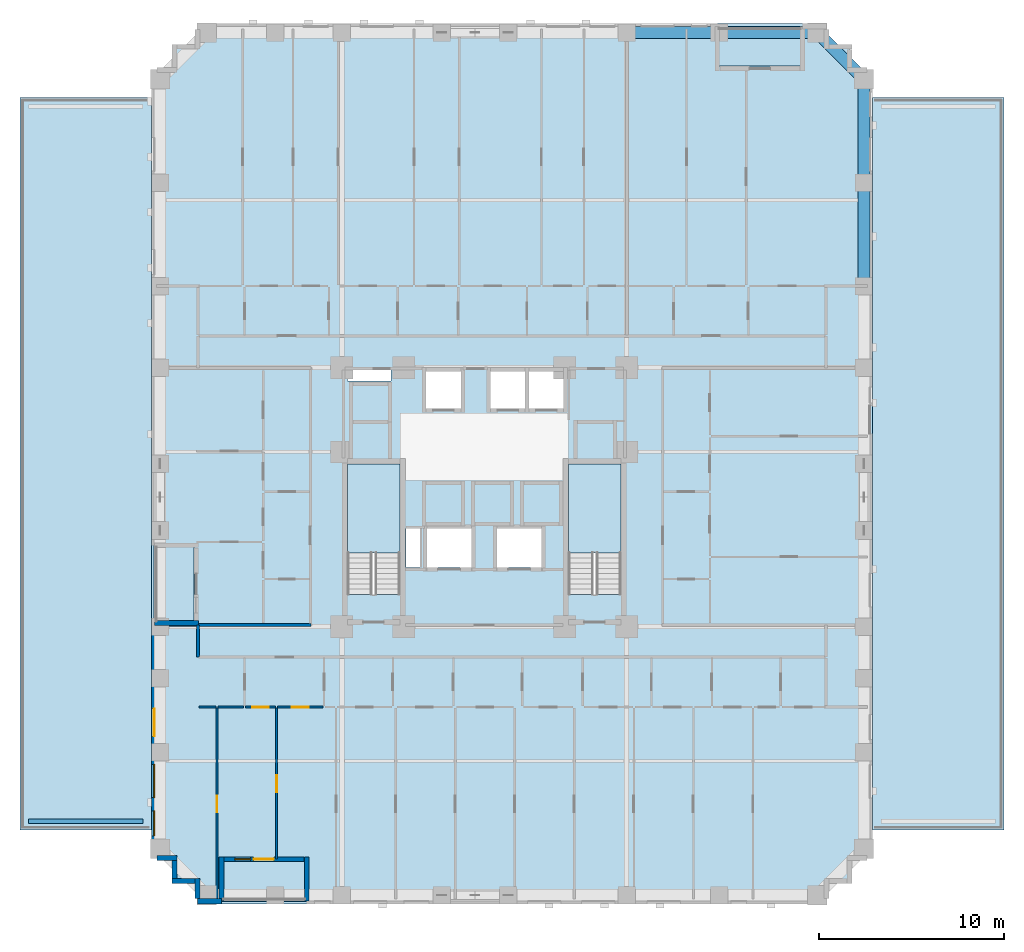
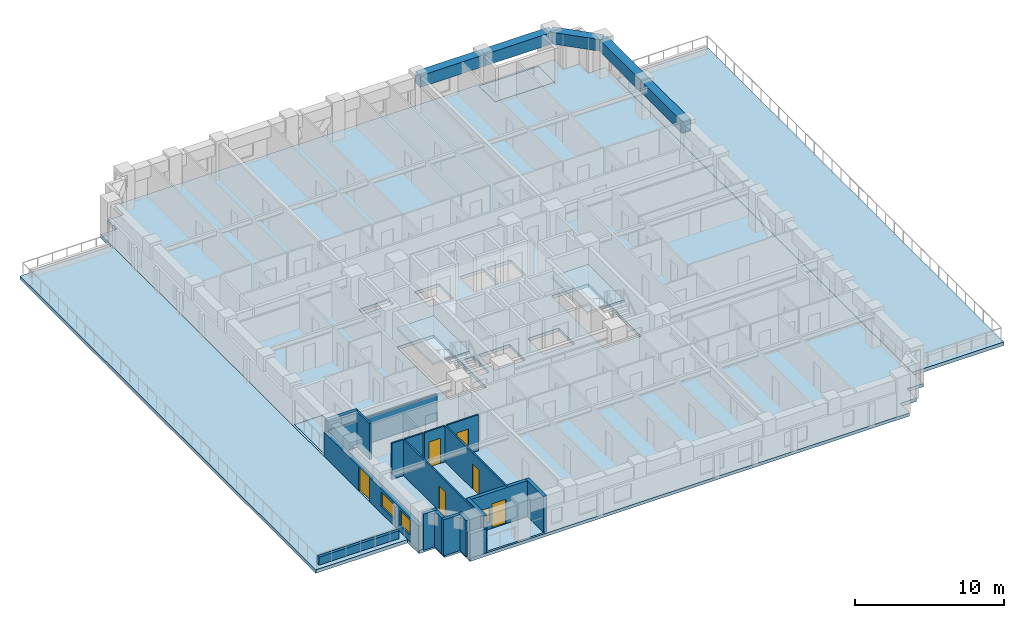
# One storey, part 2 of 14: 19 walls, 8 slabs, 6 doors, 5 beams, 3 windows, 9 openings, 2 elements without a shape of their own.
"""IFC4 building model written with IfcOpenShell, lengths in metres."""

from ifc_helpers import new_model, si_unit, derived_unit, direction, frame, frame_2d, origin, origin_2d, place, context, subcontext, project, spatial, polyline, rectangle, outline, extrude, material, layer, layer_set, material_profile, profile_set, type_object, element, fill, aggregate, save


model = new_model("IFC4")

# Units and contexts
model_context = context("Model", 3, precision=1e-05, world=origin(), true_north=direction((0.0, 1.0)))
body_context = subcontext(model_context, "Body", "Model", "MODEL_VIEW")
ifc_project = project(units=[si_unit("LENGTHUNIT", "METRE"), si_unit("AREAUNIT", "SQUARE_METRE"), si_unit("VOLUMEUNIT", "CUBIC_METRE"), si_unit("PLANEANGLEUNIT", "RADIAN"), si_unit("MASSUNIT", "GRAM", prefix="KILO"), derived_unit("THERMALTRANSMITTANCEUNIT", [(si_unit("MASSUNIT", "GRAM", prefix="KILO"), 1), (si_unit("TIMEUNIT", "SECOND"), -3), (si_unit("THERMODYNAMICTEMPERATUREUNIT", "KELVIN"), -1)])], contexts=[model_context])

# Site, building, storey
site_placement = place(None, origin())
site = spatial("IfcSite", under=ifc_project, at=site_placement, CompositionType="ELEMENT")
building_placement = place(site_placement, origin())
building = spatial("IfcBuilding", under=site, at=building_placement, Name="Korrvale Station Residences", CompositionType="ELEMENT")
storey_placement = place(building_placement, frame((0.0, 0.0, 25.800048828125)))
storey = spatial("IfcBuildingStorey", under=building, at=storey_placement, Name="L05", CompositionType="ELEMENT", Elevation=25.800048828125)

# Beams
ifc_material_1 = material(Name="Concrete C70/85", Category="concrete")
ifc_material_profile = material_profile(ifc_material_1, rectangle(XDim=0.64990234375, YDim=0.949951171875, at=origin_2d()), Name="RCB650x950")
ifc_profile_set = profile_set([ifc_material_profile], Name="Concrete C70/85")
beam_type = type_object("IfcBeamType", Name="BM-SPB-RCB650x950-C7085", PredefinedType="SPANDREL", material=ifc_profile_set)
beam_1_placement = place(storey_placement, frame((33.199951171875, 47.1201171875, 2.46484375), z_axis=(1.0, 0.0, 0.0), x_axis=(0.0, 1.0, 0.0)))
element("IfcBeam", 1, at=beam_1_placement, inside=storey, type_object=beam_type, Name="L05 North Tube Spandrel 13", PredefinedType="SPANDREL", context=body_context, shape_type="SweptSolid", body=[
    extrude(rectangle(XDim=0.64990234375, YDim=0.949951171875, at=origin_2d()), origin(), (0.0, 0.0, 1.0), 5.0),
])
beam_2_placement = place(storey_placement, frame((38.199951171875, 47.1201171875, 2.46484375), z_axis=(1.0, 0.0, 0.0), x_axis=(0.0, 1.0, 0.0)))
element("IfcBeam", 2, at=beam_2_placement, inside=storey, type_object=beam_type, Name="L05 North Tube Spandrel 14", PredefinedType="SPANDREL", context=body_context, shape_type="SweptSolid", body=[
    extrude(rectangle(XDim=0.64990234375, YDim=0.949951171875, at=origin_2d()), origin(), (0.0, 0.0, 1.0), 5.300048828125),
])
for number, where, z_axis, x_axis, name in (
    (3, (46.02001953125, 33.39990234375, 2.46484375), (0.0, 1.0, 0.0), (-1.0, 0.0, 0.0), "L05 East Tube Spandrel 31"),
    (4, (46.02001953125, 39.0, 2.46484375), (0.0, 1.0, 0.0), (-1.0, 0.0, 0.0), "L05 East Tube Spandrel 32"),
):
    element("IfcBeam", number, at=place(storey_placement, frame(where, z_axis=z_axis, x_axis=x_axis)), inside=storey, type_object=beam_type, Name=name, PredefinedType="SPANDREL", context=body_context, shape_type="SweptSolid", body=[
        extrude(rectangle(XDim=0.64990234375, YDim=0.949951171875, at=origin_2d()), origin(), (0.0, 0.0, 1.0), 5.60009765625),
    ])
beam_3_placement = place(storey_placement, frame((43.5, 47.1201171875, 2.46484375), z_axis=(0.707106781187, -0.707106781187, 0.0), x_axis=(0.707106781187, 0.707106781187, 0.0)))
element("IfcBeam", 5, at=beam_3_placement, inside=storey, type_object=beam_type, Name="L05 Serrated Corner Spandrel 35", PredefinedType="SPANDREL", context=body_context, shape_type="SweptSolid", body=[
    extrude(rectangle(XDim=0.64990234375, YDim=0.949951171875, at=origin_2d()), origin(), (0.0, 0.0, 1.0), 3.56396484375),
])

# Slabs
ifc_material_2 = material(Name="Concrete C50/60", Category="concrete")
ifc_layer_1 = layer(ifc_material_2, 0.219970703125, Name="Concrete C50/60")
ifc_layer_set_1 = layer_set([ifc_layer_1], Name="Concrete C50/60")
slab_type_1 = type_object("IfcSlabType", Name="SLB-BAL-220", PredefinedType="FLOOR", material=ifc_layer_set_1)
slab_1_placement = place(storey_placement, frame((0.0, 0.0, -0.219970703125)))
element("IfcSlab", 6, at=slab_1_placement, inside=storey, type_object=slab_type_1, Name="L05 Recessed Loggia Balcony Slab BAL-L05-S1", PredefinedType="FLOOR", context=body_context, shape_type="SweptSolid", body=[
    extrude(outline(polyline([(11.300048828125, 0.14990234375), (15.89990234375, 0.14990234375), (15.89990234375, 2.300048828125), (11.300048828125, 2.300048828125), (11.300048828125, 0.14990234375)])), origin(), (0.0, 0.0, 1.0), 0.219970703125),
])
slab_2_placement = place(storey_placement, frame((0.0, 0.0, -0.219970703125)))
element("IfcSlab", 7, at=slab_2_placement, inside=storey, type_object=slab_type_1, Name="L05 Recessed Loggia Balcony Slab BAL-L05-N1", PredefinedType="FLOOR", context=body_context, shape_type="SweptSolid", body=[
    extrude(outline(polyline([(38.10009765625, 45.300048828125), (42.699951171875, 45.300048828125), (42.699951171875, 47.449951171875), (38.10009765625, 47.449951171875), (38.10009765625, 45.300048828125)])), origin(), (0.0, 0.0, 1.0), 0.219970703125),
])
slab_3_placement = place(storey_placement, frame((0.0, 0.0, -0.219970703125)))
element("IfcSlab", 8, at=slab_3_placement, inside=storey, type_object=slab_type_1, Name="L05 Recessed Loggia Balcony Slab BAL-L05-W1", PredefinedType="FLOOR", context=body_context, shape_type="SweptSolid", body=[
    extrude(outline(polyline([(7.64990234375, 15.199951171875), (9.800048828125, 15.199951171875), (9.800048828125, 19.39990234375), (7.64990234375, 19.39990234375), (7.64990234375, 15.199951171875)])), origin(), (0.0, 0.0, 1.0), 0.219970703125),
])
ifc_layer_2 = layer(ifc_material_2, 0.260009765625, Name="Concrete C50/60")
ifc_layer_set_2 = layer_set([ifc_layer_2], Name="Concrete C50/60")
slab_type_2 = type_object("IfcSlabType", Name="SLB-FLR-260", PredefinedType="FLOOR", material=ifc_layer_set_2)
slab_4_placement = place(storey_placement, frame((0.0, 0.0, -0.260009765625)))
element("IfcSlab", 9, at=slab_4_placement, inside=storey, type_object=slab_type_2, Name="L05 Suspended Structural Floor Slab", PredefinedType="FLOOR", context=body_context, shape_type="SweptSolid", body=[
    extrude(outline(polyline([(10.0, 0.0), (44.0, 0.0), (44.0, 1.25), (45.25, 1.25), (45.25, 2.5), (46.5, 2.5), (46.5, 45.10009765625), (45.25, 45.10009765625), (45.25, 46.35009765625), (44.0, 46.35009765625), (44.0, 47.60009765625), (10.0, 47.60009765625), (10.0, 46.35009765625), (8.75, 46.35009765625), (8.75, 45.10009765625), (7.5, 45.10009765625), (7.5, 2.5), (8.75, 2.5), (8.75, 1.25), (10.0, 1.25), (10.0, 0.0)]), holes=[polyline([(20.949951171875, 16.751953125), (20.949951171875, 23.800048828125), (18.10009765625, 23.800048828125), (18.10009765625, 16.751953125), (20.949951171875, 16.751953125)]), polyline([(32.89990234375, 16.751953125), (32.89990234375, 23.800048828125), (30.050048828125, 23.800048828125), (30.050048828125, 16.751953125), (32.89990234375, 16.751953125)]), polyline([(22.35009765625, 26.800048828125), (24.25, 26.800048828125), (24.25, 28.800048828125), (22.35009765625, 28.800048828125), (22.35009765625, 26.800048828125)]), polyline([(25.85009765625, 26.800048828125), (27.7099609375, 26.800048828125), (27.7099609375, 28.800048828125), (25.85009765625, 28.800048828125), (25.85009765625, 26.800048828125)]), polyline([(27.929931640625, 26.800048828125), (29.7900390625, 26.800048828125), (29.7900390625, 28.800048828125), (27.929931640625, 28.800048828125), (27.929931640625, 26.800048828125)]), polyline([(22.39990234375, 18.199951171875), (24.800048828125, 18.199951171875), (24.800048828125, 20.300048828125), (22.39990234375, 20.300048828125), (22.39990234375, 18.199951171875)]), polyline([(26.199951171875, 18.199951171875), (28.60009765625, 18.199951171875), (28.60009765625, 20.300048828125), (26.199951171875, 20.300048828125), (26.199951171875, 18.199951171875)]), polyline([(18.10009765625, 28.280029296875), (20.449951171875, 28.280029296875), (20.449951171875, 28.8798828125), (18.10009765625, 28.8798828125), (18.10009765625, 28.280029296875)]), polyline([(21.280029296875, 18.199951171875), (22.02001953125, 18.199951171875), (22.02001953125, 20.300048828125), (21.280029296875, 20.300048828125), (21.280029296875, 18.199951171875)]), polyline([(11.300048828125, 0.14990234375), (15.89990234375, 0.14990234375), (15.89990234375, 2.300048828125), (11.300048828125, 2.300048828125), (11.300048828125, 0.14990234375)]), polyline([(38.10009765625, 45.300048828125), (42.699951171875, 45.300048828125), (42.699951171875, 47.449951171875), (38.10009765625, 47.449951171875), (38.10009765625, 45.300048828125)]), polyline([(7.64990234375, 15.199951171875), (9.800048828125, 15.199951171875), (9.800048828125, 19.39990234375), (7.64990234375, 19.39990234375), (7.64990234375, 15.199951171875)])]), origin(), (0.0, 0.0, 1.0), 0.260009765625),
])

# Stair, slab
stair_type = type_object("IfcStairType", Name="STR-DL-1350-18R-1778", PredefinedType="HALF_TURN_STAIR", material=ifc_material_2)
stair_1_placement = place(storey_placement, origin())
stair_1 = element("IfcStair", 10, at=stair_1_placement, inside=storey, type_object=stair_type, Name="L05 Exit Stair 1", PredefinedType="HALF_TURN_STAIR")
ifc_layer_3 = layer(ifc_material_2, 0.199951171875, Name="Concrete C50/60")
ifc_layer_set_3 = layer_set([ifc_layer_3], Name="Concrete C50/60")
slab_type_3 = type_object("IfcSlabType", Name="SLB-LND-200", PredefinedType="LANDING", material=ifc_layer_set_3)
slab_5_placement = place(storey_placement, frame((0.0, 0.0, 1.39990234375)))
slab_5 = element("IfcSlab", 11, at=slab_5_placement, type_object=slab_type_3, Name="ST-1 landing 1", PredefinedType="LANDING", context=body_context, shape_type="SweptSolid", body=[
    extrude(outline(polyline([(20.949951171875, 18.989990234375), (20.949951171875, 23.800048828125), (18.10009765625, 23.800048828125), (18.10009765625, 18.989990234375), (20.949951171875, 18.989990234375)])), origin(), (0.0, 0.0, 1.0), 0.199951171875),
])
aggregate(stair_1, [slab_5])

stair_2_placement = place(storey_placement, origin())
stair_2 = element("IfcStair", 12, at=stair_2_placement, inside=storey, type_object=stair_type, Name="L05 Exit Stair 2", PredefinedType="HALF_TURN_STAIR")
slab_6_placement = place(storey_placement, frame((0.0, 0.0, 1.39990234375)))
slab_6 = element("IfcSlab", 13, at=slab_6_placement, type_object=slab_type_3, Name="ST-2 landing 1", PredefinedType="LANDING", context=body_context, shape_type="SweptSolid", body=[
    extrude(outline(polyline([(32.89990234375, 18.989990234375), (32.89990234375, 23.800048828125), (30.050048828125, 23.800048828125), (30.050048828125, 18.989990234375), (32.89990234375, 18.989990234375)])), origin(), (0.0, 0.0, 1.0), 0.199951171875),
])
aggregate(stair_2, [slab_6])

# Slabs
ifc_layer_4 = layer(ifc_material_2, 0.280029296875, Name="Concrete C50/60")
ifc_layer_set_4 = layer_set([ifc_layer_4], Name="Concrete C50/60")
slab_type_4 = type_object("IfcSlabType", Name="SLB-TER-280", PredefinedType="FLOOR", material=ifc_layer_set_4)
slab_7_placement = place(storey_placement, frame((0.0, 0.0, -0.280029296875)))
element("IfcSlab", 14, at=slab_7_placement, inside=storey, type_object=slab_type_4, Name="L05 Outdoor Setback Terrace Slab TER-L05-W", PredefinedType="FLOOR", context=body_context, shape_type="SweptSolid", body=[
    extrude(outline(polyline([(0.39990234375, 4.0), (7.5, 4.0), (7.5, 43.60009765625), (0.39990234375, 43.60009765625), (0.39990234375, 4.0)])), origin(), (0.0, 0.0, 1.0), 0.280029296875),
])
slab_8_placement = place(storey_placement, frame((0.0, 0.0, -0.280029296875)))
element("IfcSlab", 15, at=slab_8_placement, inside=storey, type_object=slab_type_4, Name="L05 Outdoor Setback Terrace Slab TER-L05-E", PredefinedType="FLOOR", context=body_context, shape_type="SweptSolid", body=[
    extrude(outline(polyline([(46.5, 4.0), (53.60009765625, 4.0), (53.60009765625, 43.60009765625), (46.5, 43.60009765625), (46.5, 4.0)])), origin(), (0.0, 0.0, 1.0), 0.280029296875),
])

# Wall
ifc_material_3 = material(Name="Precast concrete C45/55", Category="concrete")
ifc_layer_5 = layer(ifc_material_3, 0.260009765625, Name="Precast concrete C45/55")
ifc_layer_set_5 = layer_set([ifc_layer_5], Name="Precast concrete C45/55")
wall_type_1 = type_object("IfcWallType", Name="WAL-EXT-LOG260", PredefinedType="SOLIDWALL", material=ifc_layer_set_5)
wall_1_placement = place(storey_placement, frame((15.89990234375, 0.159912109375, 0.0), z_axis=(0.0, 0.0, 1.0), x_axis=(0.0, 1.0, 0.0)))
element("IfcWall", 16, at=wall_1_placement, inside=storey, type_object=wall_type_1, Name="L05 Recessed Loggia Wall BAL-L05-S1-L", PredefinedType="SOLIDWALL", context=body_context, shape_type="SweptSolid", body=[
    extrude(rectangle(XDim=2.400146484375, YDim=0.260009765625, at=frame_2d((1.2001953125, 0.0))), origin(), (0.0, 0.0, 1.0), 2.93994140625),
])

# Wall, openings, door, window
wall_2_placement = place(storey_placement, frame((15.76611328125, 2.429931640625, 0.0), z_axis=(0.0, 0.0, 1.0), x_axis=(-1.0, 0.0, 0.0)))
wall_2 = element("IfcWall", 17, at=wall_2_placement, inside=storey, type_object=wall_type_1, Name="L05 Recessed Loggia Wall BAL-L05-S1-B", PredefinedType="SOLIDWALL", context=body_context, shape_type="SweptSolid", body=[
    extrude(rectangle(XDim=4.33203125, YDim=0.260009765625, at=frame_2d((2.166015625, 0.0))), origin(), (0.0, 0.0, 1.0), 2.93994140625),
])
opening_1_placement = place(wall_2_placement, frame((1.635986328125, 0.0, 0.0)))
opening_1 = element("IfcOpeningElement", 18, at=opening_1_placement, cuts=wall_2, Name="Opening BD-01", PredefinedType="OPENING", context=body_context, shape_type="SweptSolid", body=[
    extrude(rectangle(XDim=1.10009765625, YDim=2.0, at=frame_2d((0.550048828125, 1.0))), frame((0.0, 0.14013671875, 0.0), z_axis=(0.0, -1.0, 0.0), x_axis=(1.0, 0.0, 0.0)), (0.0, 0.0, 1.0), 0.280029296875),
])
opening_2_placement = place(wall_2_placement, frame((2.89599609375, 0.0, 0.550048828125)))
opening_2 = element("IfcOpeningElement", 19, at=opening_2_placement, cuts=wall_2, Name="Opening W-11", PredefinedType="OPENING", context=body_context, shape_type="SweptSolid", body=[
    extrude(rectangle(XDim=0.85009765625, YDim=1.199951171875, at=frame_2d((0.425048828125, 0.60009765625))), frame((0.0, 0.14013671875, 0.0), z_axis=(0.0, -1.0, 0.0), x_axis=(1.0, 0.0, 0.0)), (0.0, 0.0, 1.0), 0.280029296875),
])
ifc_material_4 = material(Name="Exterior thermally broken aluminium glazed balcony door", Category="aluminium")
door_type_1 = type_object("IfcDoorType", Name="DR-EXT-BAL", OperationType="NOTDEFINED", PredefinedType="DOOR", material=ifc_material_4)
door_1_placement = place(opening_1_placement, origin())
door_1 = element("IfcDoor", 20, at=door_1_placement, inside=storey, type_object=door_type_1, Name="L05 Loggia Balcony Door BAL-L05-S1", OperationType="SINGLE_SWING_RIGHT", OverallHeight=2.0, OverallWidth=1.10009765625, PredefinedType="DOOR", context=body_context, shape_type="SweptSolid", body=[
    extrude(rectangle(XDim=1.10009765625, YDim=2.0, at=frame_2d((0.550048828125, 1.0))), frame((0.0, 0.02490234375, 0.0), z_axis=(0.0, -1.0, 0.0), x_axis=(1.0, 0.0, 0.0)), (0.0, 0.0, 1.0), 0.050048828125),
])
fill(opening_1, door_1)
ifc_material_5 = material(Name="Thermally broken aluminium frame with triple low-e glazing", Category="aluminium")
window_type_1 = type_object("IfcWindowType", Name="WIN-W11", PartitioningType="SINGLE_PANEL", PredefinedType="WINDOW", material=ifc_material_5)
window_1_placement = place(opening_2_placement, origin())
window_1 = element("IfcWindow", 21, at=window_1_placement, inside=storey, type_object=window_type_1, Name="L05 Punched Window 03", OverallHeight=1.199951171875, OverallWidth=0.85009765625, PartitioningType="SINGLE_PANEL", PredefinedType="WINDOW", context=body_context, shape_type="SweptSolid", body=[
    extrude(rectangle(XDim=0.85009765625, YDim=1.199951171875, at=frame_2d((0.425048828125, 0.60009765625))), frame((0.0, 0.030029296875, 0.0), z_axis=(0.0, -1.0, 0.0), x_axis=(1.0, 0.0, 0.0)), (0.0, 0.0, 1.0), 0.06005859375),
])
fill(opening_2, window_1)

# Walls
for number, where, z_axis, x_axis, name in (
    (22, (11.300048828125, 2.56005859375, 0.0), (0.0, 0.0, 1.0), (0.0, -1.0, 0.0), "L05 Recessed Loggia Wall BAL-L05-S1-R"),
    (23, (7.659912109375, 15.199951171875, 0.0), (0.0, 0.0, 1.0), (1.0, 0.0, 0.0), "L05 Recessed Loggia Wall BAL-L05-W1-L"),
):
    element("IfcWall", number, at=place(storey_placement, frame(where, z_axis=z_axis, x_axis=x_axis)), inside=storey, type_object=wall_type_1, Name=name, PredefinedType="SOLIDWALL", context=body_context, shape_type="SweptSolid", body=[
        extrude(rectangle(XDim=2.400146484375, YDim=0.260009765625, at=frame_2d((1.2001953125, 0.0))), origin(), (0.0, 0.0, 1.0), 2.93994140625),
    ])
wall_3_placement = place(storey_placement, frame((10.0, 0.302001953125, 0.0), z_axis=(0.0, 0.0, 1.0), x_axis=(0.0, 1.0, 0.0)))
element("IfcWall", 24, at=wall_3_placement, inside=storey, type_object=wall_type_1, Name="L05 Serrated Corner Precast Step SW-1", PredefinedType="SOLIDWALL", context=body_context, shape_type="SweptSolid", body=[
    extrude(rectangle(XDim=1.077880859375, YDim=0.260009765625, at=frame_2d((0.5390625, 0.0))), origin(), (0.0, 0.0, 1.0), 2.93994140625),
])
wall_4_placement = place(storey_placement, frame((9.867919921875, 1.25, 0.0), z_axis=(0.0, 0.0, 1.0), x_axis=(-1.0, 0.0, 0.0)))
element("IfcWall", 25, at=wall_4_placement, inside=storey, type_object=wall_type_1, Name="L05 Serrated Corner Precast Step SW-2", PredefinedType="SOLIDWALL", context=body_context, shape_type="SweptSolid", body=[
    extrude(rectangle(XDim=1.247802734375, YDim=0.260009765625, at=frame_2d((0.6240234375, 0.0))), origin(), (0.0, 0.0, 1.0), 2.93994140625),
])
wall_5_placement = place(storey_placement, frame((8.75, 1.382080078125, 0.0), z_axis=(0.0, 0.0, 1.0), x_axis=(0.0, 1.0, 0.0)))
element("IfcWall", 26, at=wall_5_placement, inside=storey, type_object=wall_type_1, Name="L05 Serrated Corner Precast Step SW-3", PredefinedType="SOLIDWALL", context=body_context, shape_type="SweptSolid", body=[
    extrude(rectangle(XDim=0.98583984375, YDim=0.260009765625, at=frame_2d((0.492919921875, 0.0))), origin(), (0.0, 0.0, 1.0), 2.93994140625),
])
wall_6_placement = place(storey_placement, frame((8.8798828125, 2.5, 0.0), z_axis=(0.0, 0.0, 1.0), x_axis=(-1.0, 0.0, 0.0)))
element("IfcWall", 27, at=wall_6_placement, inside=storey, type_object=wall_type_1, Name="L05 Serrated Corner Precast Step SW-4", PredefinedType="SOLIDWALL", context=body_context, shape_type="SweptSolid", body=[
    extrude(rectangle(XDim=1.077880859375, YDim=0.260009765625, at=frame_2d((0.5390625, 0.0))), origin(), (0.0, 0.0, 1.0), 2.93994140625),
])
ifc_layer_6 = layer(ifc_material_3, 0.300048828125, Name="Precast concrete C45/55")
ifc_layer_set_6 = layer_set([ifc_layer_6], Name="Precast concrete C45/55")
wall_type_2 = type_object("IfcWallType", Name="WAL-EXT-PC300", PredefinedType="SOLIDWALL", material=ifc_layer_set_6)
wall_7_placement = place(storey_placement, frame((11.300048828125, 0.14990234375, 0.0), z_axis=(0.0, 0.0, 1.0), x_axis=(-1.0, 0.0, 0.0)))
element("IfcWall", 28, at=wall_7_placement, inside=storey, type_object=wall_type_2, Name="L05 South Exterior Precast Wall 2", PredefinedType="SOLIDWALL", context=body_context, shape_type="SweptSolid", body=[
    extrude(rectangle(XDim=1.300048828125, YDim=0.300048828125, at=frame_2d((0.64990234375, 0.0))), origin(), (0.0, 0.0, 1.0), 1.974853515625),
])

# Wall, openings, door, windows
wall_8_placement = place(storey_placement, frame((7.64990234375, 2.5, 0.0), z_axis=(0.0, 0.0, 1.0), x_axis=(0.0, 1.0, 0.0)))
wall_8 = element("IfcWall", 29, at=wall_8_placement, inside=storey, type_object=wall_type_2, Name="L05 West Exterior Precast Wall 1", PredefinedType="SOLIDWALL", context=body_context, shape_type="SweptSolid", body=[
    extrude(rectangle(XDim=12.699951171875, YDim=0.300048828125, at=frame_2d((6.35009765625, 0.0))), origin(), (0.0, 0.0, 1.0), 1.988037109375),
])
opening_3_placement = place(wall_8_placement, frame((6.574951171875, 0.0, 0.0)))
opening_3 = element("IfcOpeningElement", 30, at=opening_3_placement, cuts=wall_8, Name="Opening TD-01", PredefinedType="OPENING", context=body_context, shape_type="SweptSolid", body=[
    extrude(rectangle(XDim=1.5, YDim=1.98193359375, at=frame_2d((0.75, 0.990966796875))), frame((0.0, 0.16015625, 0.0), z_axis=(0.0, -1.0, 0.0), x_axis=(1.0, 0.0, 0.0)), (0.0, 0.0, 1.0), 0.320068359375),
])
opening_4_placement = place(wall_8_placement, frame((3.257080078125, 0.0, 0.550048828125)))
opening_4 = element("IfcOpeningElement", 31, at=opening_4_placement, cuts=wall_8, Name="Opening W-09", PredefinedType="OPENING", context=body_context, shape_type="SweptSolid", body=[
    extrude(rectangle(XDim=1.800048828125, YDim=1.199951171875, at=frame_2d((0.89990234375, 0.60009765625))), frame((0.0, 0.16015625, 0.0), z_axis=(0.0, -1.0, 0.0), x_axis=(1.0, 0.0, 0.0)), (0.0, 0.0, 1.0), 0.320068359375),
])
opening_5_placement = place(wall_8_placement, frame((1.18505859375, 0.0, 0.550048828125)))
opening_5 = element("IfcOpeningElement", 32, at=opening_5_placement, cuts=wall_8, Name="Opening W-10", PredefinedType="OPENING", context=body_context, shape_type="SweptSolid", body=[
    extrude(rectangle(XDim=1.35009765625, YDim=1.199951171875, at=frame_2d((0.675048828125, 0.60009765625))), frame((0.0, 0.16015625, 0.0), z_axis=(0.0, -1.0, 0.0), x_axis=(1.0, 0.0, 0.0)), (0.0, 0.0, 1.0), 0.320068359375),
])
ifc_material_6 = material(Name="Exterior thermally broken aluminium glazed terrace double door", Category="aluminium")
door_type_2 = type_object("IfcDoorType", Name="DR-EXT-TER", OperationType="DOUBLE_SWING_LEFT", PredefinedType="DOOR", material=ifc_material_6)
door_2_placement = place(opening_3_placement, origin())
door_2 = element("IfcDoor", 33, at=door_2_placement, inside=storey, type_object=door_type_2, Name="L05 West Setback Terrace Door", OperationType="DOUBLE_SWING_LEFT", OverallHeight=1.98193359375, OverallWidth=1.5, PredefinedType="DOOR", context=body_context, shape_type="SweptSolid", body=[
    extrude(rectangle(XDim=1.5, YDim=1.98193359375, at=frame_2d((0.75, 0.990966796875))), frame((0.0, 0.02490234375, 0.0), z_axis=(0.0, -1.0, 0.0), x_axis=(1.0, 0.0, 0.0)), (0.0, 0.0, 1.0), 0.050048828125),
])
fill(opening_3, door_2)
window_type_2 = type_object("IfcWindowType", Name="WIN-W09", PartitioningType="DOUBLE_PANEL_VERTICAL", PredefinedType="WINDOW", material=ifc_material_5)
window_2_placement = place(opening_4_placement, origin())
window_2 = element("IfcWindow", 34, at=window_2_placement, inside=storey, type_object=window_type_2, Name="L05 Punched Window 01", OverallHeight=1.199951171875, OverallWidth=1.800048828125, PartitioningType="DOUBLE_PANEL_VERTICAL", PredefinedType="WINDOW", context=body_context, shape_type="SweptSolid", body=[
    extrude(rectangle(XDim=1.800048828125, YDim=1.199951171875, at=frame_2d((0.89990234375, 0.60009765625))), frame((0.0, 0.030029296875, 0.0), z_axis=(0.0, -1.0, 0.0), x_axis=(1.0, 0.0, 0.0)), (0.0, 0.0, 1.0), 0.06005859375),
])
fill(opening_4, window_2)
window_type_3 = type_object("IfcWindowType", Name="WIN-W10", PartitioningType="SINGLE_PANEL", PredefinedType="WINDOW", material=ifc_material_5)
window_3_placement = place(opening_5_placement, origin())
window_3 = element("IfcWindow", 35, at=window_3_placement, inside=storey, type_object=window_type_3, Name="L05 Punched Window 02", OverallHeight=1.199951171875, OverallWidth=1.35009765625, PartitioningType="SINGLE_PANEL", PredefinedType="WINDOW", context=body_context, shape_type="SweptSolid", body=[
    extrude(rectangle(XDim=1.35009765625, YDim=1.199951171875, at=frame_2d((0.675048828125, 0.60009765625))), frame((0.0, 0.030029296875, 0.0), z_axis=(0.0, -1.0, 0.0), x_axis=(1.0, 0.0, 0.0)), (0.0, 0.0, 1.0), 0.06005859375),
])
fill(opening_5, window_3)

# Walls
ifc_layer_7 = layer(ifc_material_3, 0.219970703125, Name="Precast concrete C45/55")
ifc_layer_set_7 = layer_set([ifc_layer_7], Name="Precast concrete C45/55")
wall_type_3 = type_object("IfcWallType", Name="WAL-PAR-220", PredefinedType="PARAPET", material=ifc_layer_set_7)
wall_9_placement = place(storey_placement, frame((0.85009765625, 4.47998046875, 0.0), z_axis=(0.0, 0.0, 1.0), x_axis=(1.0, 0.0, 0.0)))
element("IfcWall", 36, at=wall_9_placement, inside=storey, type_object=wall_type_3, Name="L05 Terrace Planter Parapet TER-L05-W-S", PredefinedType="PARAPET", context=body_context, shape_type="SweptSolid", body=[
    extrude(rectangle(XDim=6.199951171875, YDim=0.219970703125, at=frame_2d((3.10009765625, 0.0))), origin(), (0.0, 0.0, 1.0), 0.64990234375),
])
ifc_material_7 = material(Name="Acoustic steel-stud gypsum board partition", Category="steel")
ifc_layer_8 = layer(ifc_material_7, 0.1201171875, Name="Acoustic steel-stud gypsum board partition")
ifc_layer_set_8 = layer_set([ifc_layer_8], Name="Acoustic steel-stud gypsum board partition")
wall_type_4 = type_object("IfcWallType", Name="WAL-PART-125", PredefinedType="PARTITIONING", material=ifc_layer_set_8)
wall_10_placement = place(storey_placement, frame((10.080078125, 10.64990234375, 0.0), z_axis=(0.0, 0.0, 1.0), x_axis=(1.0, 0.0, 0.0)))
element("IfcWall", 37, at=wall_10_placement, inside=storey, type_object=wall_type_4, Name="L05 Suite Partition U01-H010", PredefinedType="PARTITIONING", context=body_context, shape_type="SweptSolid", body=[
    extrude(rectangle(XDim=0.909912109375, YDim=0.1201171875, at=frame_2d((0.455078125, 0.0))), origin(), (0.0, 0.0, 1.0), 2.93994140625),
])
wall_11_placement = place(storey_placement, frame((11.110107421875, 10.64990234375, 0.0), z_axis=(0.0, 0.0, 1.0), x_axis=(1.0, 0.0, 0.0)))
element("IfcWall", 38, at=wall_11_placement, inside=storey, type_object=wall_type_4, Name="L05 Suite Partition U01-H011", PredefinedType="PARTITIONING", context=body_context, shape_type="SweptSolid", body=[
    extrude(rectangle(XDim=1.369873046875, YDim=0.1201171875, at=frame_2d((0.68505859375, 0.0))), origin(), (0.0, 0.0, 1.0), 2.93994140625),
])

# Wall, opening, door
wall_12_placement = place(storey_placement, frame((12.60009765625, 10.64990234375, 0.0), z_axis=(0.0, 0.0, 1.0), x_axis=(1.0, 0.0, 0.0)))
wall_12 = element("IfcWall", 39, at=wall_12_placement, inside=storey, type_object=wall_type_4, Name="L05 Suite Partition U01-H111", PredefinedType="PARTITIONING", context=body_context, shape_type="SweptSolid", body=[
    extrude(rectangle(XDim=1.60986328125, YDim=0.1201171875, at=frame_2d((0.804931640625, 0.0))), origin(), (0.0, 0.0, 1.0), 2.93994140625),
])
opening_6_placement = place(wall_12_placement, frame((0.35498046875, 0.0, 0.0)))
opening_6 = element("IfcOpeningElement", 40, at=opening_6_placement, cuts=wall_12, Name="Opening DI-900", PredefinedType="OPENING", context=body_context, shape_type="SweptSolid", body=[
    extrude(rectangle(XDim=0.89990234375, YDim=2.050048828125, at=frame_2d((0.449951171875, 1.02490234375))), frame((0.0, 0.070068359375, 0.0), z_axis=(0.0, -1.0, 0.0), x_axis=(1.0, 0.0, 0.0)), (0.0, 0.0, 1.0), 0.14013671875),
])
ifc_material_8 = material(Name="Painted solid-core timber interior room door", Category="wood")
door_type_3 = type_object("IfcDoorType", Name="DR-INT-900", OperationType="NOTDEFINED", PredefinedType="DOOR", material=ifc_material_8)
door_3_placement = place(opening_6_placement, origin())
door_3 = element("IfcDoor", 41, at=door_3_placement, inside=storey, type_object=door_type_3, Name="L05 Studio Apartment L05-U01 Kitchen Door", OperationType="SINGLE_SWING_LEFT", OverallHeight=2.050048828125, OverallWidth=0.89990234375, PredefinedType="DOOR", context=body_context, shape_type="SweptSolid", body=[
    extrude(rectangle(XDim=0.89990234375, YDim=2.050048828125, at=frame_2d((0.449951171875, 1.02490234375))), frame((0.0, 0.02490234375, 0.0), z_axis=(0.0, -1.0, 0.0), x_axis=(1.0, 0.0, 0.0)), (0.0, 0.0, 1.0), 0.050048828125),
])
fill(opening_6, door_3)

wall_13_placement = place(storey_placement, frame((14.330078125, 10.64990234375, 0.0), z_axis=(0.0, 0.0, 1.0), x_axis=(1.0, 0.0, 0.0)))
wall_13 = element("IfcWall", 42, at=wall_13_placement, inside=storey, type_object=wall_type_4, Name="L05 Suite Partition U01-H112", PredefinedType="PARTITIONING", context=body_context, shape_type="SweptSolid", body=[
    extrude(rectangle(XDim=2.449951171875, YDim=0.1201171875, at=frame_2d((1.22509765625, 0.0))), origin(), (0.0, 0.0, 1.0), 2.93994140625),
])
opening_7_placement = place(wall_13_placement, frame((0.77490234375, 0.0, 0.0)))
opening_7 = element("IfcOpeningElement", 43, at=opening_7_placement, cuts=wall_13, Name="Opening DI-900", PredefinedType="OPENING", context=body_context, shape_type="SweptSolid", body=[
    extrude(rectangle(XDim=0.89990234375, YDim=2.050048828125, at=frame_2d((0.449951171875, 1.02490234375))), frame((0.0, 0.070068359375, 0.0), z_axis=(0.0, -1.0, 0.0), x_axis=(1.0, 0.0, 0.0)), (0.0, 0.0, 1.0), 0.14013671875),
])
door_4_placement = place(opening_7_placement, origin())
door_4 = element("IfcDoor", 44, at=door_4_placement, inside=storey, type_object=door_type_3, Name="L05 Studio Apartment L05-U01 Kitchen Door", OperationType="SINGLE_SWING_RIGHT", OverallHeight=2.050048828125, OverallWidth=0.89990234375, PredefinedType="DOOR", context=body_context, shape_type="SweptSolid", body=[
    extrude(rectangle(XDim=0.89990234375, YDim=2.050048828125, at=frame_2d((0.449951171875, 1.02490234375))), frame((0.0, 0.02490234375, 0.0), z_axis=(0.0, -1.0, 0.0), x_axis=(1.0, 0.0, 0.0)), (0.0, 0.0, 1.0), 0.050048828125),
])
fill(opening_7, door_4)

wall_14_placement = place(storey_placement, frame((11.050048828125, 0.280029296875, 0.0), z_axis=(0.0, 0.0, 1.0), x_axis=(0.0, 1.0, 0.0)))
wall_14 = element("IfcWall", 45, at=wall_14_placement, inside=storey, type_object=wall_type_4, Name="L05 Suite Partition U01-V1011", PredefinedType="PARTITIONING", context=body_context, shape_type="SweptSolid", body=[
    extrude(rectangle(XDim=10.31005859375, YDim=0.1201171875, at=frame_2d((5.155029296875, 0.0))), origin(), (0.0, 0.0, 1.0), 2.93994140625),
])
opening_8_placement = place(wall_14_placement, frame((4.68994140625, 0.0, 0.0)))
opening_8 = element("IfcOpeningElement", 46, at=opening_8_placement, cuts=wall_14, Name="Opening DI-900", PredefinedType="OPENING", context=body_context, shape_type="SweptSolid", body=[
    extrude(rectangle(XDim=0.89990234375, YDim=2.050048828125, at=frame_2d((0.449951171875, 1.02490234375))), frame((0.0, 0.070068359375, 0.0), z_axis=(0.0, -1.0, 0.0), x_axis=(1.0, 0.0, 0.0)), (0.0, 0.0, 1.0), 0.14013671875),
])
door_5_placement = place(opening_8_placement, origin())
door_5 = element("IfcDoor", 47, at=door_5_placement, inside=storey, type_object=door_type_3, Name="L05 Studio Apartment L05-U01 Walk-In Wardrobe Door", OperationType="SINGLE_SWING_LEFT", OverallHeight=2.050048828125, OverallWidth=0.89990234375, PredefinedType="DOOR", context=body_context, shape_type="SweptSolid", body=[
    extrude(rectangle(XDim=0.89990234375, YDim=2.050048828125, at=frame_2d((0.449951171875, 1.02490234375))), frame((0.0, 0.02490234375, 0.0), z_axis=(0.0, -1.0, 0.0), x_axis=(1.0, 0.0, 0.0)), (0.0, 0.0, 1.0), 0.050048828125),
])
fill(opening_8, door_5)

wall_15_placement = place(storey_placement, frame((14.27001953125, 2.429931640625, 0.0), z_axis=(0.0, 0.0, 1.0), x_axis=(0.0, 1.0, 0.0)))
wall_15 = element("IfcWall", 48, at=wall_15_placement, inside=storey, type_object=wall_type_4, Name="L05 Suite Partition U01-V1112", PredefinedType="PARTITIONING", context=body_context, shape_type="SweptSolid", body=[
    extrude(rectangle(XDim=8.16015625, YDim=0.1201171875, at=frame_2d((4.080078125, 0.0))), origin(), (0.0, 0.0, 1.0), 2.93994140625),
])
opening_9_placement = place(wall_15_placement, frame((3.6298828125, 0.0, 0.0)))
opening_9 = element("IfcOpeningElement", 49, at=opening_9_placement, cuts=wall_15, Name="Opening DI-900", PredefinedType="OPENING", context=body_context, shape_type="SweptSolid", body=[
    extrude(rectangle(XDim=0.89990234375, YDim=2.050048828125, at=frame_2d((0.449951171875, 1.02490234375))), frame((0.0, 0.070068359375, 0.0), z_axis=(0.0, -1.0, 0.0), x_axis=(1.0, 0.0, 0.0)), (0.0, 0.0, 1.0), 0.14013671875),
])
door_6_placement = place(opening_9_placement, origin())
door_6 = element("IfcDoor", 50, at=door_6_placement, inside=storey, type_object=door_type_3, Name="L05 Studio Apartment L05-U01 Formal Dining Room Door", OperationType="SINGLE_SWING_RIGHT", OverallHeight=2.050048828125, OverallWidth=0.89990234375, PredefinedType="DOOR", context=body_context, shape_type="SweptSolid", body=[
    extrude(rectangle(XDim=0.89990234375, YDim=2.050048828125, at=frame_2d((0.449951171875, 1.02490234375))), frame((0.0, 0.02490234375, 0.0), z_axis=(0.0, -1.0, 0.0), x_axis=(1.0, 0.0, 0.0)), (0.0, 0.0, 1.0), 0.050048828125),
])
fill(opening_9, door_6)

# Walls
ifc_material_9 = material(Name="Fire-rated twin-stud gypsum and mineral wool shaftwall assembly", Category="gypsum")
ifc_layer_9 = layer(ifc_material_9, 0.159912109375, Name="Fire-rated twin-stud gypsum and mineral wool shaftwall assembly")
ifc_layer_set_9 = layer_set([ifc_layer_9], Name="Fire-rated twin-stud gypsum and mineral wool shaftwall assembly")
wall_type_5 = type_object("IfcWallType", Name="WAL-PART-200", PredefinedType="PARTITIONING", material=ifc_layer_set_9)
wall_16_placement = place(storey_placement, frame((10.02001953125, 13.35009765625, 0.0), z_axis=(0.0, 0.0, 1.0), x_axis=(0.0, 1.0, 0.0)))
element("IfcWall", 51, at=wall_16_placement, inside=storey, type_object=wall_type_5, Name="L05 Corridor South West Cap", PredefinedType="PARTITIONING", context=body_context, shape_type="SweptSolid", body=[
    extrude(rectangle(XDim=1.739990234375, YDim=0.159912109375, at=frame_2d((0.8701171875, 0.0))), origin(), (0.0, 0.0, 1.0), 2.93994140625),
])
wall_17_placement = place(storey_placement, frame((7.780029296875, 15.090087890625, 0.0), z_axis=(0.0, 0.0, 1.0), x_axis=(1.0, 0.0, 0.0)))
element("IfcWall", 52, at=wall_17_placement, inside=storey, type_object=wall_type_5, Name="L05 West Wing South Corridor Wall", PredefinedType="PARTITIONING", context=body_context, shape_type="SweptSolid", body=[
    extrude(rectangle(XDim=8.35986328125, YDim=0.159912109375, at=frame_2d((4.179931640625, 0.0))), origin(), (0.0, 0.0, 1.0), 2.155029296875),
])

save(model, "model.ifc")
